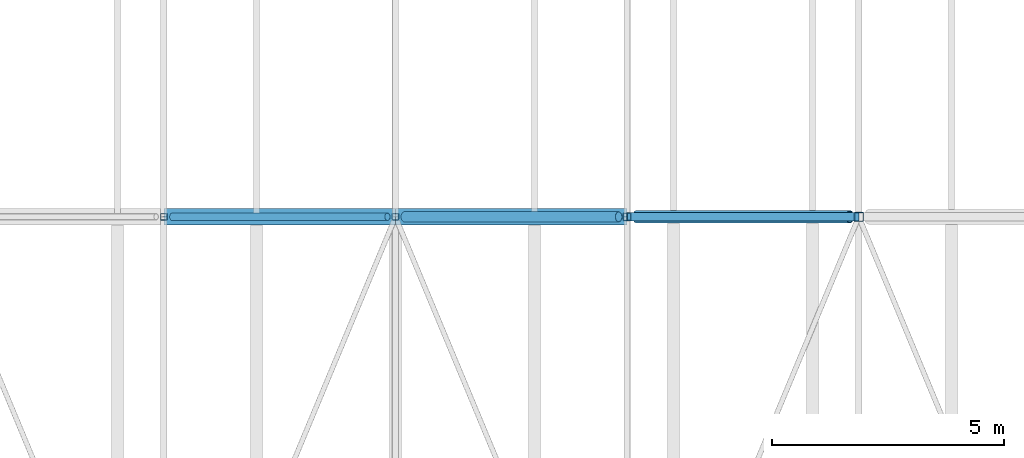
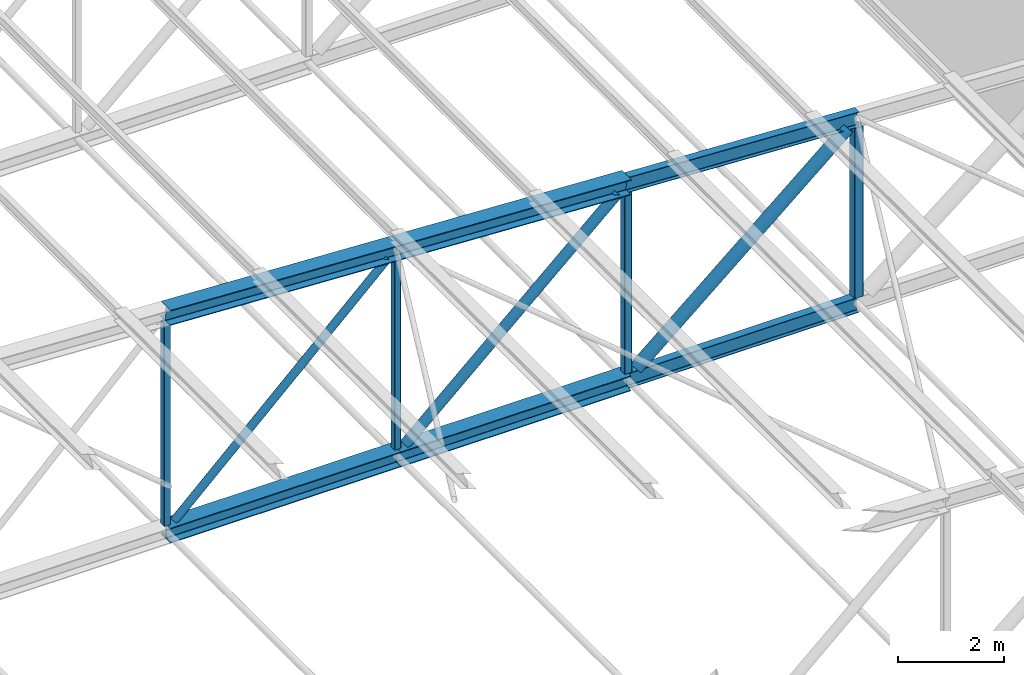
# One storey, part 48 of 156: 13 members.
"""IFC4 building model written with IfcOpenShell, lengths in metres."""

from ifc_helpers import new_model, si_unit, direction, frame, origin, origin_2d, place, context, subcontext, project, spatial, hollow_rectangle, hollow_circle, i_section, extrude, material, material_profile, profile_set, type_object, element, save


model = new_model("IFC4")

# Units and contexts
model_context = context("Model", 3, precision=1e-05, world=origin(), true_north=direction((0.0, 1.0)))
body_context = subcontext(model_context, "Body", "Model", "MODEL_VIEW")
ifc_project = project(units=[si_unit("LENGTHUNIT", "METRE"), si_unit("AREAUNIT", "SQUARE_METRE"), si_unit("VOLUMEUNIT", "CUBIC_METRE"), si_unit("PLANEANGLEUNIT", "RADIAN"), si_unit("MASSUNIT", "GRAM", prefix="KILO")], contexts=[model_context])

# Site, building, storey
site_placement = place(None, origin())
site = spatial("IfcSite", under=ifc_project, at=site_placement, CompositionType="ELEMENT")
building_placement = place(site_placement, origin())
building = spatial("IfcBuilding", under=site, at=building_placement, Name="Lilac Gate Convention Centre", CompositionType="ELEMENT")
storey_placement = place(building_placement, frame((0.0, 0.0, 17.0)))
storey = spatial("IfcBuildingStorey", under=building, at=storey_placement, Name="L03", CompositionType="ELEMENT", Elevation=17.0)

# Members
ifc_material = material(Name="Steel Q355B", Category="steel")
ifc_material_profile_1 = material_profile(ifc_material, i_section(OverallWidth=0.175048828125, OverallDepth=0.35009765625, WebThickness=0.007080078125, FlangeThickness=0.010986328125, FilletRadius=0.012939453125, at=origin_2d()), Name="HN350x175x7x11")
ifc_profile_set_1 = profile_set([ifc_material_profile_1], Name="Steel Q355B")
member_type_1 = type_object("IfcMemberType", Name="Truss bottom chord HN350x175x7x11", PredefinedType="CHORD", material=ifc_profile_set_1)
member_1_placement = place(storey_placement, frame((80.0, 90.0, 0.0), z_axis=(1.0, 0.0, 0.0), x_axis=(0.0, 1.0, 0.0)))
element("IfcMember", 1, at=member_1_placement, inside=storey, type_object=member_type_1, Name="TB1 truss 6 bottom chord 11", PredefinedType="CHORD", context=body_context, shape_type="SweptSolid", body=[
    extrude(i_section(OverallWidth=0.175048828125, OverallDepth=0.35009765625, WebThickness=0.007080078125, FlangeThickness=0.010986328125, FilletRadius=0.012939453125, at=origin_2d()), origin(), (0.0, 0.0, 1.0), 5.0),
])
ifc_material_profile_2 = material_profile(ifc_material, i_section(OverallWidth=0.35009765625, OverallDepth=0.35009765625, WebThickness=0.011962890625, FlangeThickness=0.01904296875, FilletRadius=0.012939453125, at=origin_2d()), Name="HW350x350x12x19")
ifc_profile_set_2 = profile_set([ifc_material_profile_2], Name="Steel Q355B")
member_type_2 = type_object("IfcMemberType", Name="Truss bottom chord HW350x350x12x19", PredefinedType="CHORD", material=ifc_profile_set_2)
for number, where, z_axis, x_axis, name in (
    (2, (70.0, 90.0, 0.0), (1.0, 0.0, 0.0), (0.0, 1.0, 0.0), "TB2 truss 6 bottom chord 9"),
    (3, (75.0, 90.0, 0.0), (1.0, 0.0, 0.0), (0.0, 1.0, 0.0), "TB2 truss 6 bottom chord 10"),
):
    element("IfcMember", number, at=place(storey_placement, frame(where, z_axis=z_axis, x_axis=x_axis)), inside=storey, type_object=member_type_2, Name=name, PredefinedType="CHORD", context=body_context, shape_type="SweptSolid", body=[
        extrude(i_section(OverallWidth=0.35009765625, OverallDepth=0.35009765625, WebThickness=0.011962890625, FlangeThickness=0.01904296875, FilletRadius=0.012939453125, at=origin_2d()), origin(), (0.0, 0.0, 1.0), 5.0),
    ])
ifc_material_profile_3 = material_profile(ifc_material, hollow_circle(Radius=0.084228515625, WallThickness=0.006103515625, at=origin_2d()), Name="CHS168.3x6")
ifc_profile_set_3 = profile_set([ifc_material_profile_3], Name="Steel Q355B")
member_type_3 = type_object("IfcMemberType", Name="Truss diagonal CHS168.3x6", PredefinedType="BRACE", material=ifc_profile_set_3)
member_2_placement = place(storey_placement, frame((74.8271484375, 90.0, 4.585693359375), z_axis=(-0.725020373275, 0.0, -0.688727419475), x_axis=(0.0, -1.0, 0.0)))
element("IfcMember", 4, at=member_2_placement, inside=storey, type_object=member_type_3, Name="TW4 truss 6 diagonal 9", PredefinedType="BRACE", context=body_context, shape_type="SweptSolid", body=[
    extrude(hollow_circle(Radius=0.084228515625, WallThickness=0.006103515625, at=origin_2d()), origin(), (0.0, 0.0, 1.0), 6.404052734375),
])
ifc_material_profile_4 = material_profile(ifc_material, hollow_circle(Radius=0.109619140625, WallThickness=0.008056640625, at=origin_2d()), Name="CHS219.1x8")
ifc_profile_set_4 = profile_set([ifc_material_profile_4], Name="Steel Q355B")
member_type_4 = type_object("IfcMemberType", Name="Truss diagonal CHS219.1x8", PredefinedType="BRACE", material=ifc_profile_set_4)
member_3_placement = place(storey_placement, frame((79.8173828125, 90.0, 4.335693359375), z_axis=(-0.743301953498, 0.0, -0.668956056797), x_axis=(0.0, -1.0, 0.0)))
element("IfcMember", 5, at=member_3_placement, inside=storey, type_object=member_type_4, Name="TW3 truss 6 diagonal 10", PredefinedType="BRACE", context=body_context, shape_type="SweptSolid", body=[
    extrude(hollow_circle(Radius=0.109619140625, WallThickness=0.008056640625, at=origin_2d()), origin(), (0.0, 0.0, 1.0), 6.2197265625),
])
ifc_material_profile_5 = material_profile(ifc_material, hollow_circle(Radius=0.136474609375, WallThickness=0.010009765625, at=origin_2d()), Name="CHS273x10")
ifc_profile_set_5 = profile_set([ifc_material_profile_5], Name="Steel Q355B")
member_type_5 = type_object("IfcMemberType", Name="Truss diagonal CHS273x10", PredefinedType="BRACE", material=ifc_profile_set_5)
member_4_placement = place(storey_placement, frame((84.806884765625, 90.0, 4.085693359375), z_axis=(-0.761961263863, 0.0, -0.647622600263), x_axis=(0.0, -1.0, 0.0)))
element("IfcMember", 6, at=member_4_placement, inside=storey, type_object=member_type_5, Name="TW2 truss 6 diagonal 11", PredefinedType="BRACE", context=body_context, shape_type="SweptSolid", body=[
    extrude(hollow_circle(Radius=0.136474609375, WallThickness=0.010009765625, at=origin_2d()), origin(), (0.0, 0.0, 1.0), 6.03857421875),
])
ifc_material_profile_6 = material_profile(ifc_material, i_section(OverallWidth=0.175048828125, OverallDepth=0.35009765625, WebThickness=0.007080078125, FlangeThickness=0.010986328125, FilletRadius=0.012939453125, at=origin_2d()), Name="HN350x175x7x11")
ifc_profile_set_6 = profile_set([ifc_material_profile_6], Name="Steel Q355B")
member_type_6 = type_object("IfcMemberType", Name="Truss top chord HN350x175x7x11", PredefinedType="CHORD", material=ifc_profile_set_6)
member_5_placement = place(storey_placement, frame((80.0, 90.0, 4.5), z_axis=(0.998752338878, 0.0, -0.049937616944), x_axis=(0.0, 1.0, 0.0)))
element("IfcMember", 7, at=member_5_placement, inside=storey, type_object=member_type_6, Name="TT1 truss 6 top chord 11", PredefinedType="CHORD", context=body_context, shape_type="SweptSolid", body=[
    extrude(i_section(OverallWidth=0.175048828125, OverallDepth=0.35009765625, WebThickness=0.007080078125, FlangeThickness=0.010986328125, FilletRadius=0.012939453125, at=origin_2d()), origin(), (0.0, 0.0, 1.0), 5.00634765625),
])
ifc_material_profile_7 = material_profile(ifc_material, i_section(OverallWidth=0.35009765625, OverallDepth=0.35009765625, WebThickness=0.011962890625, FlangeThickness=0.01904296875, FilletRadius=0.012939453125, at=origin_2d()), Name="HW350x350x12x19")
ifc_profile_set_7 = profile_set([ifc_material_profile_7], Name="Steel Q355B")
member_type_7 = type_object("IfcMemberType", Name="Truss top chord HW350x350x12x19", PredefinedType="CHORD", material=ifc_profile_set_7)
for number, where, z_axis, x_axis, name in (
    (8, (70.0, 90.0, 5.0), (0.998752338878, 0.0, -0.049937616944), (0.0, 1.0, 0.0), "TT2 truss 6 top chord 9"),
    (9, (75.0, 90.0, 4.75), (0.998752338878, 0.0, -0.049937616944), (0.0, 1.0, 0.0), "TT2 truss 6 top chord 10"),
):
    element("IfcMember", number, at=place(storey_placement, frame(where, z_axis=z_axis, x_axis=x_axis)), inside=storey, type_object=member_type_7, Name=name, PredefinedType="CHORD", context=body_context, shape_type="SweptSolid", body=[
        extrude(i_section(OverallWidth=0.35009765625, OverallDepth=0.35009765625, WebThickness=0.011962890625, FlangeThickness=0.01904296875, FilletRadius=0.012939453125, at=origin_2d()), origin(), (0.0, 0.0, 1.0), 5.00634765625),
    ])
ifc_material_profile_8 = material_profile(ifc_material, hollow_rectangle(XDim=0.139892578125, YDim=0.139892578125, WallThickness=0.0048828125, InnerFilletRadius=0.0048828125, OuterFilletRadius=0.010009765625, at=origin_2d()), Name="SHS140x140x5")
ifc_profile_set_8 = profile_set([ifc_material_profile_8], Name="Steel Q355B")
member_type_8 = type_object("IfcMemberType", Name="Truss vertical SHS140x140x5", PredefinedType="STRUT", material=ifc_profile_set_8)
member_6_placement = place(storey_placement, frame((70.0, 90.0, 0.175048828125), z_axis=(0.0, 0.0, 1.0), x_axis=(1.0, 0.0, 0.0)))
element("IfcMember", 10, at=member_6_placement, inside=storey, type_object=member_type_8, Name="TV4 truss 6 vertical 9", PredefinedType="STRUT", context=body_context, shape_type="SweptSolid", body=[
    extrude(hollow_rectangle(XDim=0.139892578125, YDim=0.139892578125, WallThickness=0.0048828125, InnerFilletRadius=0.0048828125, OuterFilletRadius=0.010009765625, at=origin_2d()), origin(), (0.0, 0.0, 1.0), 4.649658203125),
])
member_7_placement = place(storey_placement, frame((75.0, 90.0, 0.175048828125), z_axis=(0.0, 0.0, 1.0), x_axis=(1.0, 0.0, 0.0)))
element("IfcMember", 11, at=member_7_placement, inside=storey, type_object=member_type_8, Name="TV4 truss 6 vertical 10", PredefinedType="STRUT", context=body_context, shape_type="SweptSolid", body=[
    extrude(hollow_rectangle(XDim=0.139892578125, YDim=0.139892578125, WallThickness=0.0048828125, InnerFilletRadius=0.0048828125, OuterFilletRadius=0.010009765625, at=origin_2d()), origin(), (0.0, 0.0, 1.0), 4.399658203125),
])
ifc_material_profile_9 = material_profile(ifc_material, hollow_rectangle(XDim=0.159912109375, YDim=0.159912109375, WallThickness=0.006103515625, InnerFilletRadius=0.006103515625, OuterFilletRadius=0.011962890625, at=origin_2d()), Name="SHS160x160x6")
ifc_profile_set_9 = profile_set([ifc_material_profile_9], Name="Steel Q355B")
member_type_9 = type_object("IfcMemberType", Name="Truss vertical SHS160x160x6", PredefinedType="STRUT", material=ifc_profile_set_9)
member_8_placement = place(storey_placement, frame((80.0, 90.0, 0.175048828125), z_axis=(0.0, 0.0, 1.0), x_axis=(1.0, 0.0, 0.0)))
element("IfcMember", 12, at=member_8_placement, inside=storey, type_object=member_type_9, Name="TV3 truss 6 vertical 11", PredefinedType="STRUT", context=body_context, shape_type="SweptSolid", body=[
    extrude(hollow_rectangle(XDim=0.159912109375, YDim=0.159912109375, WallThickness=0.006103515625, InnerFilletRadius=0.006103515625, OuterFilletRadius=0.011962890625, at=origin_2d()), origin(), (0.0, 0.0, 1.0), 4.149658203125),
])
ifc_material_profile_10 = material_profile(ifc_material, hollow_rectangle(XDim=0.199951171875, YDim=0.199951171875, WallThickness=0.008056640625, InnerFilletRadius=0.011962890625, OuterFilletRadius=0.02001953125, at=origin_2d()), Name="SHS200x200x8")
ifc_profile_set_10 = profile_set([ifc_material_profile_10], Name="Steel Q355B")
member_type_10 = type_object("IfcMemberType", Name="Truss vertical SHS200x200x8", PredefinedType="STRUT", material=ifc_profile_set_10)
member_9_placement = place(storey_placement, frame((85.0, 90.0, 0.175048828125), z_axis=(0.0, 0.0, 1.0), x_axis=(1.0, 0.0, 0.0)))
element("IfcMember", 13, at=member_9_placement, inside=storey, type_object=member_type_10, Name="TV2 truss 6 vertical 12", PredefinedType="STRUT", context=body_context, shape_type="SweptSolid", body=[
    extrude(hollow_rectangle(XDim=0.199951171875, YDim=0.199951171875, WallThickness=0.008056640625, InnerFilletRadius=0.011962890625, OuterFilletRadius=0.02001953125, at=origin_2d()), origin(), (0.0, 0.0, 1.0), 3.899658203125),
])

save(model, "model.ifc")
